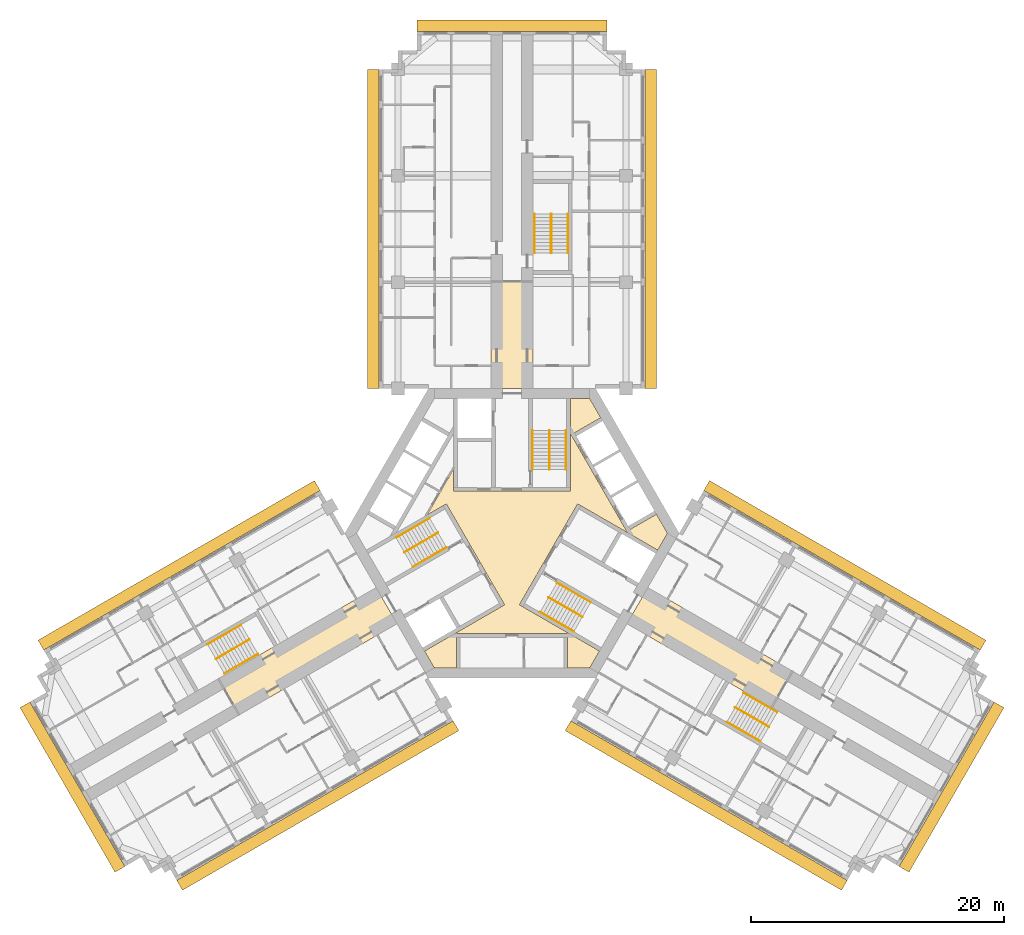
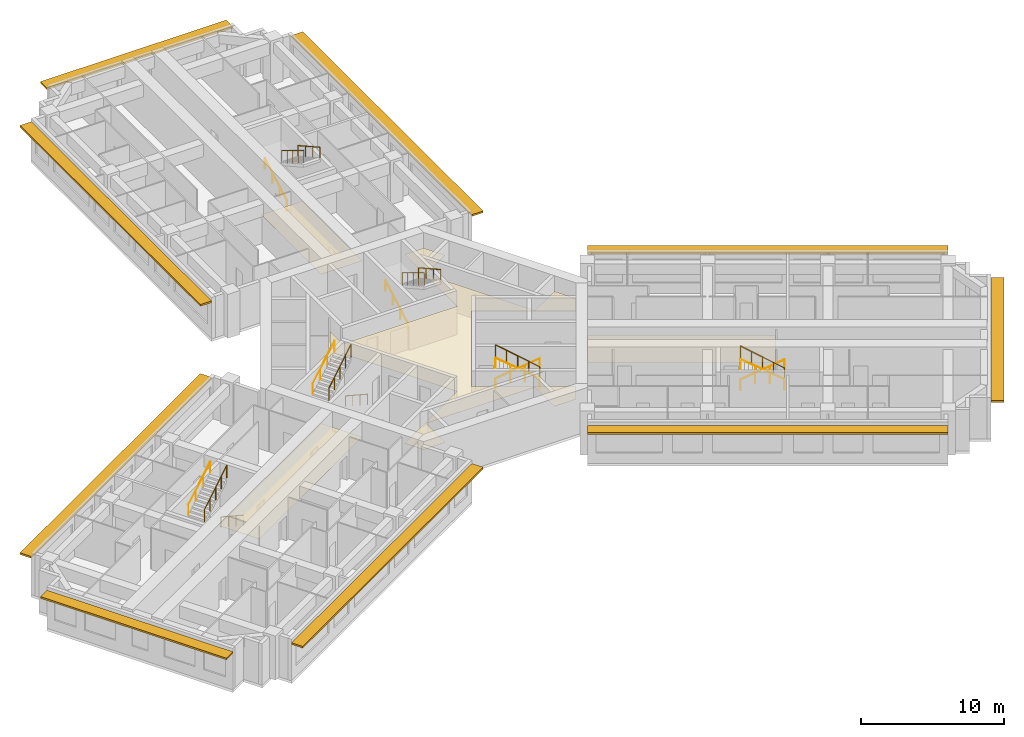
# One storey, part 12 of 12: 18 railings, 4 coverings, 3 shading devices.
"""IFC4 building model written with IfcOpenShell, lengths in metres."""

from ifc_helpers import new_model, si_unit, direction, frame, origin, origin_2d, place, context, subcontext, project, spatial, polyline, rectangle, circle, outline, extrude, material, layer, layer_set, type_object, element, save


model = new_model("IFC4")

# Units and contexts
model_context = context("Model", 3, precision=1e-05, world=origin(), true_north=direction((0.0, 1.0)))
body_context = subcontext(model_context, "Body", "Model", "MODEL_VIEW")
ifc_project = project(units=[si_unit("LENGTHUNIT", "METRE"), si_unit("AREAUNIT", "SQUARE_METRE"), si_unit("VOLUMEUNIT", "CUBIC_METRE"), si_unit("PLANEANGLEUNIT", "RADIAN"), si_unit("MASSUNIT", "GRAM", prefix="KILO")], contexts=[model_context])

# Site, building, storey
site_placement = place(None, origin())
site = spatial("IfcSite", under=ifc_project, at=site_placement, CompositionType="ELEMENT")
building_placement = place(site_placement, origin())
building = spatial("IfcBuilding", under=site, at=building_placement, Name="Impinga Residences", CompositionType="ELEMENT")
storey_placement = place(building_placement, frame((0.0, 0.0, 169.75)))
storey = spatial("IfcBuildingStorey", under=building, at=storey_placement, Name="L42", CompositionType="ELEMENT", Elevation=169.75)

# Coverings
ifc_material_1 = material(Name="Plasterboard 15 mm on steel hangers", Category="steel")
ifc_layer_1 = layer(ifc_material_1, 0.014892578125)
ifc_layer_set_1 = layer_set([ifc_layer_1], Name="Plasterboard 15 mm on steel hangers")
covering_type_1 = type_object("IfcCoveringType", Name="CL1 corridor ceiling, 15 mm plasterboard on hangers", PredefinedType="CEILING", material=ifc_layer_set_1)
covering_1_placement = place(storey_placement, frame((0.0, 0.0, 2.39990234375)))
element("IfcCovering", 1, at=covering_1_placement, inside=storey, type_object=covering_type_1, Name="Corridor ceiling CL1 L42-N00", PredefinedType="CEILING", context=body_context, shape_type="SweptSolid", body=[
    extrude(outline(polyline([(1.64990234375, 11.431640625), (-1.64990234375, 11.431640625), (-1.64990234375, 19.83203125), (1.64990234375, 19.83203125), (1.64990234375, 11.431640625)])), origin(), (0.0, 0.0, 1.0), 0.01513671875),
])
covering_2_placement = place(storey_placement, frame((0.0, 0.0, 2.39990234375)))
element("IfcCovering", 2, at=covering_2_placement, inside=storey, type_object=covering_type_1, Name="Corridor ceiling CL1 L42-W00", PredefinedType="CEILING", context=body_context, shape_type="SweptSolid", body=[
    extrude(outline(polyline([(-9.074951171875, -7.144775390625), (-10.72509765625, -4.286865234375), (-23.15234375, -11.4619140625), (-21.50244140625, -14.31982421875), (-9.074951171875, -7.144775390625)])), origin(), (0.0, 0.0, 1.0), 0.01513671875),
])
covering_3_placement = place(storey_placement, frame((0.0, 0.0, 2.39990234375)))
element("IfcCovering", 3, at=covering_3_placement, inside=storey, type_object=covering_type_1, Name="Corridor ceiling CL1 L42-E00", PredefinedType="CEILING", context=body_context, shape_type="SweptSolid", body=[
    extrude(outline(polyline([(10.72509765625, -4.286865234375), (9.074951171875, -7.144775390625), (20.463134765625, -13.7197265625), (22.11328125, -10.86181640625), (10.72509765625, -4.286865234375)])), origin(), (0.0, 0.0, 1.0), 0.01513671875),
])
ifc_material_2 = material(Name="Mineral fibre tiles 20 mm on exposed grid", Category="mineral fibre")
ifc_layer_2 = layer(ifc_material_2, 0.02001953125)
ifc_layer_set_2 = layer_set([ifc_layer_2], Name="CL2 lift lobby ceiling, 20 mm mineral fibre tiles")
covering_type_2 = type_object("IfcCoveringType", Name="CL2 lift lobby ceiling, 20 mm mineral fibre tiles", PredefinedType="CEILING", material=ifc_layer_set_2)
covering_4_placement = place(storey_placement, frame((0.0, 0.0, 2.39990234375)))
element("IfcCovering", 4, at=covering_4_placement, inside=storey, type_object=covering_type_2, Name="Lift lobby ceiling CL2 L42-C01", PredefinedType="CEILING", context=body_context, shape_type="SweptSolid", body=[
    extrude(outline(polyline([(5.183837890625, 2.318603515625), (0.583984375, -5.648681640625), (6.9072265625, -9.299560546875), (6.13818359375, -10.631591796875), (4.39990234375, -10.631591796875), (4.39990234375, -7.931640625), (-4.39990234375, -7.931640625), (-4.39990234375, -10.631591796875), (-6.13818359375, -10.631591796875), (-6.9072265625, -9.299560546875), (-0.583984375, -5.648681640625), (-5.183837890625, 2.318603515625), (-6.712890625, 1.435791015625), (-4.60009765625, 5.095703125), (-4.60009765625, 3.330078125), (4.60009765625, 3.330078125), (4.60009765625, 10.631591796875), (6.13818359375, 10.631591796875), (7.007080078125, 9.126220703125), (4.6689453125, 7.7763671875), (9.06884765625, 0.1552734375), (11.4072265625, 1.50537109375), (12.276123046875, 0.0), (11.507080078125, -1.33203125), (5.183837890625, 2.318603515625)])), origin(), (0.0, 0.0, 1.0), 0.02001953125),
])

# Railings
ifc_material_3 = material(Name="Steel guard, powder coated", Category="steel")
railing_type_1 = type_object("IfcRailingType", Name="GR1 stair guard 1100", PredefinedType="GUARDRAIL", material=ifc_material_3)
railing_1_placement = place(storey_placement, frame((2.949951171875, 8.110107421875, 1.875)))
element("IfcRailing", 5, at=railing_1_placement, inside=storey, type_object=railing_type_1, Name="Stair guard GR1 ST1 L42", PredefinedType="GUARDRAIL", context=body_context, shape_type="SweptSolid", body=[
    extrude(circle(Radius=0.02392578125, at=origin_2d()), frame((0.0, 0.0, 1.076171875), z_axis=(0.0, -0.854177636135, 0.519981313056), x_axis=(1.0, 0.0, 0.0)), (0.0, 0.0, 1.0), 3.60595703125),
    extrude(circle(Radius=0.02099609375, at=origin_2d()), origin(), (0.0, 0.0, 1.0), 1.052001953125),
    extrude(circle(Radius=0.02099609375, at=origin_2d()), frame((0.0, -0.77001953125, 0.46875)), (0.0, 0.0, 1.0), 1.052001953125),
    extrude(circle(Radius=0.02099609375, at=origin_2d()), frame((0.0, -1.5400390625, 0.9375)), (0.0, 0.0, 1.0), 1.052001953125),
    extrude(circle(Radius=0.02099609375, at=origin_2d()), frame((0.0, -2.31005859375, 1.40625)), (0.0, 0.0, 1.0), 1.052001953125),
    extrude(circle(Radius=0.02099609375, at=origin_2d()), frame((0.0, -3.080078125, 1.875)), (0.0, 0.0, 1.0), 1.052001953125),
])
railing_2_placement = place(storey_placement, frame((-8.49853515625, -1.500244140625, 1.875)))
element("IfcRailing", 6, at=railing_2_placement, inside=storey, type_object=railing_type_1, Name="Stair guard GR1 ST2 L42", PredefinedType="GUARDRAIL", context=body_context, shape_type="SweptSolid", body=[
    extrude(circle(Radius=0.02392578125, at=origin_2d()), frame((0.0, 0.0, 1.076171875), z_axis=(0.739746383972, 0.427084037168, 0.519975492303), x_axis=(-0.499992328818, 0.866029832698, 0.0)), (0.0, 0.0, 1.0), 3.60595703125),
    extrude(circle(Radius=0.02099609375, at=origin_2d()), origin(), (0.0, 0.0, 1.0), 1.052001953125),
    extrude(circle(Radius=0.02099609375, at=origin_2d()), frame((0.6669921875, 0.385009765625, 0.46875)), (0.0, 0.0, 1.0), 1.052001953125),
    extrude(circle(Radius=0.02099609375, at=origin_2d()), frame((1.333740234375, 0.77001953125, 0.9375)), (0.0, 0.0, 1.0), 1.052001953125),
    extrude(circle(Radius=0.02099609375, at=origin_2d()), frame((2.00048828125, 1.155029296875, 1.40625)), (0.0, 0.0, 1.0), 1.052001953125),
    extrude(circle(Radius=0.02099609375, at=origin_2d()), frame((2.66748046875, 1.5400390625, 1.875)), (0.0, 0.0, 1.0), 1.052001953125),
])
railing_3_placement = place(storey_placement, frame((5.548583984375, -6.60986328125, 1.875)))
element("IfcRailing", 7, at=railing_3_placement, inside=storey, type_object=railing_type_1, Name="Stair guard GR1 ST3 L42", PredefinedType="GUARDRAIL", context=body_context, shape_type="SweptSolid", body=[
    extrude(circle(Radius=0.02392578125, at=origin_2d()), frame((0.0, 0.0, 1.076171875), z_axis=(-0.739746383972, 0.427084037168, 0.519975492303), x_axis=(-0.499992328818, -0.866029832698, 0.0)), (0.0, 0.0, 1.0), 3.60595703125),
    extrude(circle(Radius=0.02099609375, at=origin_2d()), origin(), (0.0, 0.0, 1.0), 1.052001953125),
    extrude(circle(Radius=0.02099609375, at=origin_2d()), frame((-0.6669921875, 0.385009765625, 0.46875)), (0.0, 0.0, 1.0), 1.052001953125),
    extrude(circle(Radius=0.02099609375, at=origin_2d()), frame((-1.333740234375, 0.77001953125, 0.9375)), (0.0, 0.0, 1.0), 1.052001953125),
    extrude(circle(Radius=0.02099609375, at=origin_2d()), frame((-2.00048828125, 1.155029296875, 1.40625)), (0.0, 0.0, 1.0), 1.052001953125),
    extrude(circle(Radius=0.02099609375, at=origin_2d()), frame((-2.66748046875, 1.5400390625, 1.875)), (0.0, 0.0, 1.0), 1.052001953125),
])
railing_4_placement = place(storey_placement, frame((3.10009765625, 25.21142578125, 1.875)))
element("IfcRailing", 8, at=railing_4_placement, inside=storey, type_object=railing_type_1, Name="Stair guard GR1 WS1 L42", PredefinedType="GUARDRAIL", context=body_context, shape_type="SweptSolid", body=[
    extrude(circle(Radius=0.02392578125, at=origin_2d()), frame((0.0, 0.0, 1.076171875), z_axis=(0.0, -0.854159328187, 0.520011386482), x_axis=(1.0, 0.0, 0.0)), (0.0, 0.0, 1.0), 3.605712890625),
    extrude(circle(Radius=0.02099609375, at=origin_2d()), origin(), (0.0, 0.0, 1.0), 1.052001953125),
    extrude(circle(Radius=0.02099609375, at=origin_2d()), frame((0.0, -0.77001953125, 0.46875)), (0.0, 0.0, 1.0), 1.052001953125),
    extrude(circle(Radius=0.02099609375, at=origin_2d()), frame((0.0, -1.5400390625, 0.9375)), (0.0, 0.0, 1.0), 1.052001953125),
    extrude(circle(Radius=0.02099609375, at=origin_2d()), frame((0.0, -2.309814453125, 1.40625)), (0.0, 0.0, 1.0), 1.052001953125),
    extrude(circle(Radius=0.02099609375, at=origin_2d()), frame((0.0, -3.079833984375, 1.875)), (0.0, 0.0, 1.0), 1.052001953125),
])
railing_5_placement = place(storey_placement, frame((-23.3837890625, -9.921142578125, 1.875)))
element("IfcRailing", 9, at=railing_5_placement, inside=storey, type_object=railing_type_1, Name="Stair guard GR1 WS2 L42", PredefinedType="GUARDRAIL", context=body_context, shape_type="SweptSolid", body=[
    extrude(circle(Radius=0.02392578125, at=origin_2d()), frame((0.0, 0.0, 1.076171875), z_axis=(0.739715726454, 0.427105428144, 0.52000153585), x_axis=(-0.500026652407, 0.866010015463, 0.0)), (0.0, 0.0, 1.0), 3.605712890625),
    extrude(circle(Radius=0.02099609375, at=origin_2d()), origin(), (0.0, 0.0, 1.0), 1.052001953125),
    extrude(circle(Radius=0.02099609375, at=origin_2d()), frame((0.666748046875, 0.385009765625, 0.46875)), (0.0, 0.0, 1.0), 1.052001953125),
    extrude(circle(Radius=0.02099609375, at=origin_2d()), frame((1.33349609375, 0.77001953125, 0.9375)), (0.0, 0.0, 1.0), 1.052001953125),
    extrude(circle(Radius=0.02099609375, at=origin_2d()), frame((2.00048828125, 1.155029296875, 1.40625)), (0.0, 0.0, 1.0), 1.052001953125),
    extrude(circle(Radius=0.02099609375, at=origin_2d()), frame((2.667236328125, 1.5400390625, 1.875)), (0.0, 0.0, 1.0), 1.052001953125),
])
railing_6_placement = place(storey_placement, frame((20.283935546875, -15.29052734375, 1.875)))
element("IfcRailing", 10, at=railing_6_placement, inside=storey, type_object=railing_type_1, Name="Stair guard GR1 WS3 L42", PredefinedType="GUARDRAIL", context=body_context, shape_type="SweptSolid", body=[
    extrude(circle(Radius=0.02392578125, at=origin_2d()), frame((0.0, 0.0, 1.076171875), z_axis=(-0.739746383972, 0.427084037168, 0.519975492303), x_axis=(-0.499992328818, -0.866029832698, 0.0)), (0.0, 0.0, 1.0), 3.60595703125),
    extrude(circle(Radius=0.02099609375, at=origin_2d()), origin(), (0.0, 0.0, 1.0), 1.052001953125),
    extrude(circle(Radius=0.02099609375, at=origin_2d()), frame((-0.6669921875, 0.385009765625, 0.46875)), (0.0, 0.0, 1.0), 1.052001953125),
    extrude(circle(Radius=0.02099609375, at=origin_2d()), frame((-1.333740234375, 0.77001953125, 0.9375)), (0.0, 0.0, 1.0), 1.052001953125),
    extrude(circle(Radius=0.02099609375, at=origin_2d()), frame((-2.00048828125, 1.155029296875, 1.40625)), (0.0, 0.0, 1.0), 1.052001953125),
    extrude(circle(Radius=0.02099609375, at=origin_2d()), frame((-2.66748046875, 1.5400390625, 1.875)), (0.0, 0.0, 1.0), 1.052001953125),
])
ifc_material_4 = material(Name="Steel handrail tube 42 mm, powder coated", Category="steel")
railing_type_2 = type_object("IfcRailingType", Name="HR1 stair handrail, 42 mm steel tube, 900 above the pitch line", PredefinedType="HANDRAIL", material=ifc_material_4)
railing_7_placement = place(storey_placement, frame((1.62109375, 5.030029296875, 0.15625)))
element("IfcRailing", 11, at=railing_7_placement, inside=storey, type_object=railing_type_2, Name="Stair handrail HR1 ST1 L42", PredefinedType="HANDRAIL", context=body_context, shape_type="SweptSolid", body=[
    extrude(circle(Radius=0.02099609375, at=origin_2d()), frame((0.0, 0.0, 0.87890625), z_axis=(0.0, 0.873241540666, 0.487287606713), x_axis=(-1.0, 0.0, 0.0)), (0.0, 0.0, 1.0), 3.527099609375),
    extrude(circle(Radius=0.012451171875, at=origin_2d()), origin(), (0.0, 0.0, 1.0), 0.85791015625),
    extrude(circle(Radius=0.012451171875, at=origin_2d()), frame((0.0, 1.026611328125, 0.572998046875)), (0.0, 0.0, 1.0), 0.85791015625),
    extrude(circle(Radius=0.012451171875, at=origin_2d()), frame((0.0, 2.053466796875, 1.145751953125)), (0.0, 0.0, 1.0), 0.85791015625),
    extrude(circle(Radius=0.012451171875, at=origin_2d()), frame((0.0, 3.080078125, 1.71875)), (0.0, 0.0, 1.0), 0.85791015625),
])
railing_8_placement = place(storey_placement, frame((4.279052734375, 8.110107421875, 2.03125)))
element("IfcRailing", 12, at=railing_8_placement, inside=storey, type_object=railing_type_2, Name="Stair handrail HR1 ST1 L42", PredefinedType="HANDRAIL", context=body_context, shape_type="SweptSolid", body=[
    extrude(circle(Radius=0.02099609375, at=origin_2d()), frame((0.0, 0.0, 0.87890625), z_axis=(0.0, -0.873241540666, 0.487287606713), x_axis=(1.0, 0.0, 0.0)), (0.0, 0.0, 1.0), 3.527099609375),
    extrude(circle(Radius=0.012451171875, at=origin_2d()), origin(), (0.0, 0.0, 1.0), 0.85791015625),
    extrude(circle(Radius=0.012451171875, at=origin_2d()), frame((0.0, -1.026611328125, 0.572998046875)), (0.0, 0.0, 1.0), 0.85791015625),
    extrude(circle(Radius=0.012451171875, at=origin_2d()), frame((0.0, -2.053466796875, 1.145751953125)), (0.0, 0.0, 1.0), 0.85791015625),
    extrude(circle(Radius=0.012451171875, at=origin_2d()), frame((0.0, -3.080078125, 1.71875)), (0.0, 0.0, 1.0), 0.85791015625),
])
railing_9_placement = place(storey_placement, frame((-5.16650390625, -1.111083984375, 0.15625)))
element("IfcRailing", 13, at=railing_9_placement, inside=storey, type_object=railing_type_2, Name="Stair handrail HR1 ST2 L42", PredefinedType="HANDRAIL", context=body_context, shape_type="SweptSolid", body=[
    extrude(circle(Radius=0.02099609375, at=origin_2d()), frame((0.0, 0.0, 0.87890625), z_axis=(-0.756255980417, -0.436615662133, 0.487281905742), x_axis=(0.499992328818, -0.866029832698, 0.0)), (0.0, 0.0, 1.0), 3.527099609375),
    extrude(circle(Radius=0.012451171875, at=origin_2d()), origin(), (0.0, 0.0, 1.0), 0.85791015625),
    extrude(circle(Radius=0.012451171875, at=origin_2d()), frame((-0.88916015625, -0.513427734375, 0.572998046875)), (0.0, 0.0, 1.0), 0.85791015625),
    extrude(circle(Radius=0.012451171875, at=origin_2d()), frame((-1.7783203125, -1.026611328125, 1.145751953125)), (0.0, 0.0, 1.0), 0.85791015625),
    extrude(circle(Radius=0.012451171875, at=origin_2d()), frame((-2.66748046875, -1.5400390625, 1.71875)), (0.0, 0.0, 1.0), 0.85791015625),
])
railing_10_placement = place(storey_placement, frame((-9.1630859375, -0.349365234375, 2.03125)))
element("IfcRailing", 14, at=railing_10_placement, inside=storey, type_object=railing_type_2, Name="Stair handrail HR1 ST2 L42", PredefinedType="HANDRAIL", context=body_context, shape_type="SweptSolid", body=[
    extrude(circle(Radius=0.02099609375, at=origin_2d()), frame((0.0, 0.0, 0.87890625), z_axis=(0.756255980417, 0.436615662133, 0.487281905742), x_axis=(-0.499992328818, 0.866029832698, 0.0)), (0.0, 0.0, 1.0), 3.527099609375),
    extrude(circle(Radius=0.012451171875, at=origin_2d()), origin(), (0.0, 0.0, 1.0), 0.85791015625),
    extrude(circle(Radius=0.012451171875, at=origin_2d()), frame((0.88916015625, 0.513427734375, 0.572998046875)), (0.0, 0.0, 1.0), 0.85791015625),
    extrude(circle(Radius=0.012451171875, at=origin_2d()), frame((1.7783203125, 1.026611328125, 1.145751953125)), (0.0, 0.0, 1.0), 0.85791015625),
    extrude(circle(Radius=0.012451171875, at=origin_2d()), frame((2.66748046875, 1.5400390625, 1.71875)), (0.0, 0.0, 1.0), 0.85791015625),
])
railing_11_placement = place(storey_placement, frame((3.545654296875, -3.9189453125, 0.15625)))
element("IfcRailing", 15, at=railing_11_placement, inside=storey, type_object=railing_type_2, Name="Stair handrail HR1 ST3 L42", PredefinedType="HANDRAIL", context=body_context, shape_type="SweptSolid", body=[
    extrude(circle(Radius=0.02099609375, at=origin_2d()), frame((0.0, 0.0, 0.87890625), z_axis=(0.756249203677, -0.436582492228, 0.487322141317), x_axis=(0.499967199496, 0.866044340336, 0.0)), (0.0, 0.0, 1.0), 3.52685546875),
    extrude(circle(Radius=0.012451171875, at=origin_2d()), origin(), (0.0, 0.0, 1.0), 0.85791015625),
    extrude(circle(Radius=0.012451171875, at=origin_2d()), frame((0.88916015625, -0.51318359375, 0.572998046875)), (0.0, 0.0, 1.0), 0.85791015625),
    extrude(circle(Radius=0.012451171875, at=origin_2d()), frame((1.778076171875, -1.026611328125, 1.145751953125)), (0.0, 0.0, 1.0), 0.85791015625),
    extrude(circle(Radius=0.012451171875, at=origin_2d()), frame((2.667236328125, -1.539794921875, 1.71875)), (0.0, 0.0, 1.0), 0.85791015625),
])
railing_12_placement = place(storey_placement, frame((4.884033203125, -7.7607421875, 2.03125)))
element("IfcRailing", 16, at=railing_12_placement, inside=storey, type_object=railing_type_2, Name="Stair handrail HR1 ST3 L42", PredefinedType="HANDRAIL", context=body_context, shape_type="SweptSolid", body=[
    extrude(circle(Radius=0.02099609375, at=origin_2d()), frame((0.0, 0.0, 0.87890625), z_axis=(-0.756255980417, 0.436615662133, 0.487281905742), x_axis=(-0.499992328818, -0.866029832698, 0.0)), (0.0, 0.0, 1.0), 3.527099609375),
    extrude(circle(Radius=0.012451171875, at=origin_2d()), origin(), (0.0, 0.0, 1.0), 0.85791015625),
    extrude(circle(Radius=0.012451171875, at=origin_2d()), frame((-0.88916015625, 0.513427734375, 0.572998046875)), (0.0, 0.0, 1.0), 0.85791015625),
    extrude(circle(Radius=0.012451171875, at=origin_2d()), frame((-1.7783203125, 1.026611328125, 1.145751953125)), (0.0, 0.0, 1.0), 0.85791015625),
    extrude(circle(Radius=0.012451171875, at=origin_2d()), frame((-2.66748046875, 1.5400390625, 1.71875)), (0.0, 0.0, 1.0), 0.85791015625),
])
railing_13_placement = place(storey_placement, frame((1.77099609375, 22.131591796875, 0.15625)))
element("IfcRailing", 17, at=railing_13_placement, inside=storey, type_object=railing_type_2, Name="Stair handrail HR1 WS1 L42", PredefinedType="HANDRAIL", context=body_context, shape_type="SweptSolid", body=[
    extrude(circle(Radius=0.02099609375, at=origin_2d()), frame((0.0, 0.0, 0.87890625), z_axis=(0.0, 0.873225103656, 0.487317061414), x_axis=(-1.0, 0.0, 0.0)), (0.0, 0.0, 1.0), 3.52685546875),
    extrude(circle(Radius=0.012451171875, at=origin_2d()), origin(), (0.0, 0.0, 1.0), 0.85791015625),
    extrude(circle(Radius=0.012451171875, at=origin_2d()), frame((0.0, 1.026611328125, 0.572998046875)), (0.0, 0.0, 1.0), 0.85791015625),
    extrude(circle(Radius=0.012451171875, at=origin_2d()), frame((0.0, 2.05322265625, 1.145751953125)), (0.0, 0.0, 1.0), 0.85791015625),
    extrude(circle(Radius=0.012451171875, at=origin_2d()), frame((0.0, 3.079833984375, 1.71875)), (0.0, 0.0, 1.0), 0.85791015625),
])
railing_14_placement = place(storey_placement, frame((4.428955078125, 25.21142578125, 2.03125)))
element("IfcRailing", 18, at=railing_14_placement, inside=storey, type_object=railing_type_2, Name="Stair handrail HR1 WS1 L42", PredefinedType="HANDRAIL", context=body_context, shape_type="SweptSolid", body=[
    extrude(circle(Radius=0.02099609375, at=origin_2d()), frame((0.0, 0.0, 0.87890625), z_axis=(0.0, -0.873225103656, 0.487317061414), x_axis=(1.0, 0.0, 0.0)), (0.0, 0.0, 1.0), 3.52685546875),
    extrude(circle(Radius=0.012451171875, at=origin_2d()), origin(), (0.0, 0.0, 1.0), 0.85791015625),
    extrude(circle(Radius=0.012451171875, at=origin_2d()), frame((0.0, -1.026611328125, 0.572998046875)), (0.0, 0.0, 1.0), 0.85791015625),
    extrude(circle(Radius=0.012451171875, at=origin_2d()), frame((0.0, -2.05322265625, 1.145751953125)), (0.0, 0.0, 1.0), 0.85791015625),
    extrude(circle(Radius=0.012451171875, at=origin_2d()), frame((0.0, -3.079833984375, 1.71875)), (0.0, 0.0, 1.0), 0.85791015625),
])
railing_15_placement = place(storey_placement, frame((-20.052001953125, -9.531982421875, 0.15625)))
element("IfcRailing", 19, at=railing_15_placement, inside=storey, type_object=railing_type_2, Name="Stair handrail HR1 WS2 L42", PredefinedType="HANDRAIL", context=body_context, shape_type="SweptSolid", body=[
    extrude(circle(Radius=0.02099609375, at=origin_2d()), frame((0.0, 0.0, 0.87890625), z_axis=(-0.756226348243, -0.436638517594, 0.487307413422), x_axis=(0.500026652407, -0.866010015463, 0.0)), (0.0, 0.0, 1.0), 3.527099609375),
    extrude(circle(Radius=0.012451171875, at=origin_2d()), origin(), (0.0, 0.0, 1.0), 0.85791015625),
    extrude(circle(Radius=0.012451171875, at=origin_2d()), frame((-0.88916015625, -0.513427734375, 0.572998046875)), (0.0, 0.0, 1.0), 0.85791015625),
    extrude(circle(Radius=0.012451171875, at=origin_2d()), frame((-1.778076171875, -1.026611328125, 1.145751953125)), (0.0, 0.0, 1.0), 0.85791015625),
    extrude(circle(Radius=0.012451171875, at=origin_2d()), frame((-2.667236328125, -1.5400390625, 1.71875)), (0.0, 0.0, 1.0), 0.85791015625),
])
railing_16_placement = place(storey_placement, frame((-24.04833984375, -8.77001953125, 2.03125)))
element("IfcRailing", 20, at=railing_16_placement, inside=storey, type_object=railing_type_2, Name="Stair handrail HR1 WS2 L42", PredefinedType="HANDRAIL", context=body_context, shape_type="SweptSolid", body=[
    extrude(circle(Radius=0.02099609375, at=origin_2d()), frame((0.0, 0.0, 0.87890625), z_axis=(0.756278834354, 0.436559638319, 0.487296631324), x_axis=(-0.499932877268, 0.866064153644, 0.0)), (0.0, 0.0, 1.0), 3.527099609375),
    extrude(circle(Radius=0.012451171875, at=origin_2d()), origin(), (0.0, 0.0, 1.0), 0.85791015625),
    extrude(circle(Radius=0.012451171875, at=origin_2d()), frame((0.88916015625, 0.51318359375, 0.572998046875)), (0.0, 0.0, 1.0), 0.85791015625),
    extrude(circle(Radius=0.012451171875, at=origin_2d()), frame((1.7783203125, 1.026611328125, 1.145751953125)), (0.0, 0.0, 1.0), 0.85791015625),
    extrude(circle(Radius=0.012451171875, at=origin_2d()), frame((2.66748046875, 1.539794921875, 1.71875)), (0.0, 0.0, 1.0), 0.85791015625),
])
railing_17_placement = place(storey_placement, frame((18.281005859375, -12.599609375, 0.15625)))
element("IfcRailing", 21, at=railing_17_placement, inside=storey, type_object=railing_type_2, Name="Stair handrail HR1 WS3 L42", PredefinedType="HANDRAIL", context=body_context, shape_type="SweptSolid", body=[
    extrude(circle(Radius=0.02099609375, at=origin_2d()), frame((0.0, 0.0, 0.87890625), z_axis=(0.756249203677, -0.436582492228, 0.487322141317), x_axis=(0.499967199496, 0.866044340336, 0.0)), (0.0, 0.0, 1.0), 3.52685546875),
    extrude(circle(Radius=0.012451171875, at=origin_2d()), origin(), (0.0, 0.0, 1.0), 0.85791015625),
    extrude(circle(Radius=0.012451171875, at=origin_2d()), frame((0.88916015625, -0.51318359375, 0.572998046875)), (0.0, 0.0, 1.0), 0.85791015625),
    extrude(circle(Radius=0.012451171875, at=origin_2d()), frame((1.778076171875, -1.026611328125, 1.145751953125)), (0.0, 0.0, 1.0), 0.85791015625),
    extrude(circle(Radius=0.012451171875, at=origin_2d()), frame((2.667236328125, -1.539794921875, 1.71875)), (0.0, 0.0, 1.0), 0.85791015625),
])
railing_18_placement = place(storey_placement, frame((19.619384765625, -16.44140625, 2.03125)))
element("IfcRailing", 22, at=railing_18_placement, inside=storey, type_object=railing_type_2, Name="Stair handrail HR1 WS3 L42", PredefinedType="HANDRAIL", context=body_context, shape_type="SweptSolid", body=[
    extrude(circle(Radius=0.02099609375, at=origin_2d()), frame((0.0, 0.0, 0.87890625), z_axis=(-0.756255980417, 0.436615662133, 0.487281905742), x_axis=(-0.499992328818, -0.866029832698, 0.0)), (0.0, 0.0, 1.0), 3.527099609375),
    extrude(circle(Radius=0.012451171875, at=origin_2d()), origin(), (0.0, 0.0, 1.0), 0.85791015625),
    extrude(circle(Radius=0.012451171875, at=origin_2d()), frame((-0.88916015625, 0.513427734375, 0.572998046875)), (0.0, 0.0, 1.0), 0.85791015625),
    extrude(circle(Radius=0.012451171875, at=origin_2d()), frame((-1.7783203125, 1.026611328125, 1.145751953125)), (0.0, 0.0, 1.0), 0.85791015625),
    extrude(circle(Radius=0.012451171875, at=origin_2d()), frame((-2.66748046875, 1.5400390625, 1.71875)), (0.0, 0.0, 1.0), 0.85791015625),
])

# Shading devices
ifc_material_5 = material(Name="Terracotta sunshade blades on aluminium brackets", Category="masonry")
ifc_layer_3 = layer(ifc_material_5, 0.14990234375)
ifc_layer_set_3 = layer_set([ifc_layer_3], Name="SS1 SUNSHADE terracotta sunshade band 900")
shading_device_type = type_object("IfcShadingDeviceType", Name="SS1 SUNSHADE terracotta sunshade band 900", PredefinedType="USERDEFINED", material=ifc_layer_set_3)
shading_device_1_placement = place(storey_placement, frame((-10.949951171875, 24.031494140625, 3.10009765625), z_axis=(0.0, 0.0, 1.0), x_axis=(0.0, 1.0, 0.0)))
element("IfcShadingDevice", 23, at=shading_device_1_placement, inside=storey, type_object=shading_device_type, Name="SUNSHADE band L42 NORTH WING", ObjectType="SUNSHADE", PredefinedType="USERDEFINED", context=body_context, shape_type="SweptSolid", body=[
    extrude(rectangle(XDim=25.199951171875, YDim=0.89990234375, at=origin_2d()), origin(), (0.0, 0.0, 1.0), 0.14990234375),
    extrude(rectangle(XDim=15.0, YDim=0.89990234375, at=origin_2d()), frame((16.050048828125, -10.949951171875, 0.0), z_axis=(0.0, 0.0, 1.0), x_axis=(0.0, -1.0, 0.0)), (0.0, 0.0, 1.0), 0.14990234375),
    extrude(rectangle(XDim=25.199951171875, YDim=0.89990234375, at=origin_2d()), frame((0.0, -21.89990234375, 0.0), z_axis=(0.0, 0.0, 1.0), x_axis=(-1.0, 0.0, 0.0)), (0.0, 0.0, 1.0), 0.14990234375),
])
shading_device_2_placement = place(storey_placement, frame((-34.711669921875, -20.040771484375, 3.10009765625), z_axis=(0.0, 0.0, 1.0), x_axis=(-0.5, 0.866025403784, 0.0)))
element("IfcShadingDevice", 24, at=shading_device_2_placement, inside=storey, type_object=shading_device_type, Name="SUNSHADE band L42 WEST WING", ObjectType="SUNSHADE", PredefinedType="USERDEFINED", context=body_context, shape_type="SweptSolid", body=[
    extrude(rectangle(XDim=15.0, YDim=0.89990234375, at=origin_2d()), origin(), (0.0, 0.0, 1.0), 0.14990234375),
    extrude(rectangle(XDim=25.199951171875, YDim=0.89990234375, at=origin_2d()), frame((10.949951171875, -16.050048828125, 0.0), z_axis=(0.0, 0.0, 1.0), x_axis=(0.0, -1.0, 0.0)), (0.0, 0.0, 1.0), 0.14990234375),
    extrude(rectangle(XDim=25.199951171875, YDim=0.89990234375, at=origin_2d()), frame((-10.949951171875, -16.050048828125, 0.0), z_axis=(0.0, 0.0, 1.0), x_axis=(0.0, 1.0, 0.0)), (0.0, 0.0, 1.0), 0.14990234375),
])
shading_device_3_placement = place(storey_placement, frame((26.286865234375, -2.53271484375, 3.10009765625), z_axis=(0.0, 0.0, 1.0), x_axis=(0.866025403784, -0.5, 0.0)))
element("IfcShadingDevice", 25, at=shading_device_3_placement, inside=storey, type_object=shading_device_type, Name="SUNSHADE band L42 EAST WING", ObjectType="SUNSHADE", PredefinedType="USERDEFINED", context=body_context, shape_type="SweptSolid", body=[
    extrude(rectangle(XDim=25.199951171875, YDim=0.89990234375, at=origin_2d()), origin(), (0.0, 0.0, 1.0), 0.14990234375),
    extrude(rectangle(XDim=15.0, YDim=0.89990234375, at=origin_2d()), frame((16.050048828125, -10.949951171875, 0.0), z_axis=(0.0, 0.0, 1.0), x_axis=(0.0, -1.0, 0.0)), (0.0, 0.0, 1.0), 0.14990234375),
    extrude(rectangle(XDim=25.199951171875, YDim=0.89990234375, at=origin_2d()), frame((0.0, -21.900146484375, 0.0), z_axis=(0.0, 0.0, 1.0), x_axis=(-1.0, 0.0, 0.0)), (0.0, 0.0, 1.0), 0.14990234375),
])

save(model, "model.ifc")
